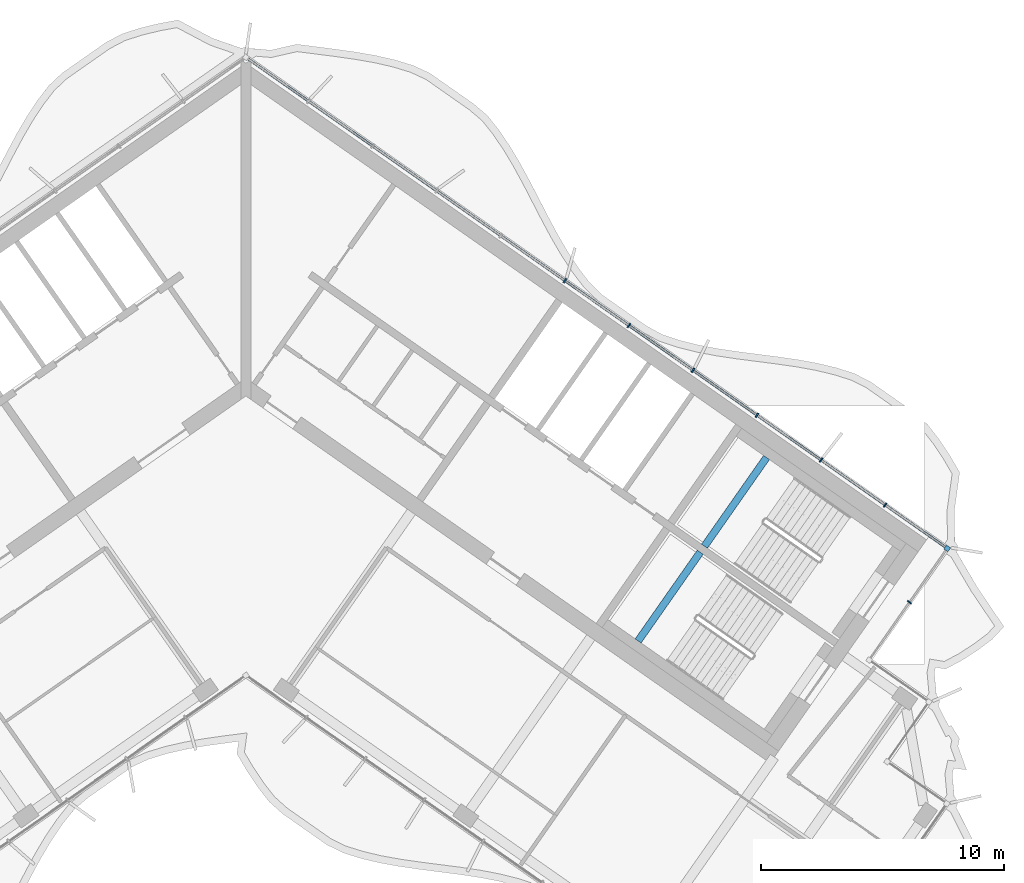
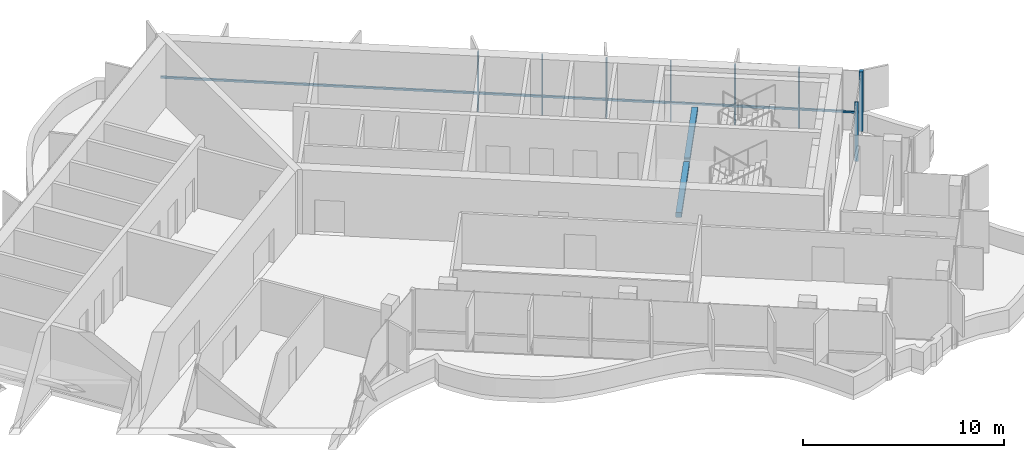
# One storey, part 5 of 18: 9 members, 2 beams, 1 element without a shape of its own.
"""IFC4 building model written with IfcOpenShell, lengths in metres."""

from ifc_helpers import new_model, si_unit, direction, frame, origin, origin_2d, place, context, subcontext, project, spatial, rectangle, extrude, material, material_profile, profile_set, type_object, element, aggregate, save


model = new_model("IFC4")

# Units and contexts
model_context = context("Model", 3, precision=1e-05, world=origin(), true_north=direction((0.0, 1.0)))
body_context = subcontext(model_context, "Body", "Model", "MODEL_VIEW")
ifc_project = project(units=[si_unit("LENGTHUNIT", "METRE"), si_unit("AREAUNIT", "SQUARE_METRE"), si_unit("VOLUMEUNIT", "CUBIC_METRE"), si_unit("PLANEANGLEUNIT", "RADIAN"), si_unit("MASSUNIT", "GRAM", prefix="KILO")], contexts=[model_context])

# Site, building, storey
site_placement = place(None, origin())
site = spatial("IfcSite", under=ifc_project, at=site_placement, CompositionType="ELEMENT")
building_placement = place(site_placement, origin())
building = spatial("IfcBuilding", under=site, at=building_placement, Name="Tel Ilan Convention Tower", CompositionType="ELEMENT")
storey_placement = place(building_placement, frame((0.0, 0.0, 299.5)))
storey = spatial("IfcBuildingStorey", under=building, at=storey_placement, Name="L71", CompositionType="ELEMENT", Elevation=299.5)

# Curtain wall, members
ifc_material_1 = material(Name="Aluminium, bronze anodised", Category="aluminium")
curtain_wall_type = type_object("IfcCurtainWallType", Name="CW2 STICK CURTAIN WALL, SPANDREL PANELS", PredefinedType="NOTDEFINED", material=ifc_material_1)
curtain_wall_placement = place(storey_placement, origin())
curtain_wall = element("IfcCurtainWall", 1, at=curtain_wall_placement, inside=storey, type_object=curtain_wall_type, Name="Curtain wall CW2-54.01", PredefinedType="NOTDEFINED")
ifc_material_2 = material(Name="Aluminium, bronze anodised", Category="aluminium")
ifc_material_profile_1 = material_profile(ifc_material_2, rectangle(XDim=0.199951171875, YDim=0.199951171875, at=origin_2d()), Name="CW CORNER MULLION 200x200")
ifc_profile_set_1 = profile_set([ifc_material_profile_1], Name="Aluminium, bronze anodised")
member_type_1 = type_object("IfcMemberType", Name="CW CORNER MULLION 200x200", PredefinedType="MULLION", material=ifc_profile_set_1)
member_1_placement = place(storey_placement, frame((28.819580078125, -7.483642578125, 0.0), z_axis=(0.0, 0.0, 1.0), x_axis=(0.573576436351, 0.819152044289, 0.0)))
member_1 = element("IfcMember", 2, at=member_1_placement, type_object=member_type_1, Name="Corner mullion", PredefinedType="MULLION", context=body_context, shape_type="SweptSolid", body=[
    extrude(rectangle(XDim=0.199951171875, YDim=0.199951171875, at=origin_2d()), origin(), (0.0, 0.0, 1.0), 3.6201171875),
])
ifc_material_3 = material(Name="Aluminium, bronze anodised", Category="aluminium")
ifc_material_profile_2 = material_profile(ifc_material_3, rectangle(XDim=0.06005859375, YDim=0.199951171875, at=origin_2d()), Name="CW MULLION 60x200")
ifc_profile_set_2 = profile_set([ifc_material_profile_2], Name="Aluminium, bronze anodised")
member_type_2 = type_object("IfcMemberType", Name="CW MULLION 60x200", PredefinedType="MULLION", material=ifc_profile_set_2)
member_2_placement = place(storey_placement, frame((27.27099609375, -9.6953125, 0.0), z_axis=(0.0, 0.0, 1.0), x_axis=(0.573576436351, 0.819152044289, 0.0)))
member_2 = element("IfcMember", 3, at=member_2_placement, type_object=member_type_2, Name="Mullion", PredefinedType="MULLION", context=body_context, shape_type="SweptSolid", body=[
    extrude(rectangle(XDim=0.06005859375, YDim=0.199951171875, at=origin_2d()), origin(), (0.0, 0.0, 1.0), 3.6201171875),
])
member_3_placement = place(storey_placement, frame((26.268798828125, -5.697509765625, 0.0), z_axis=(0.0, 0.0, 1.0), x_axis=(-0.819152044289, 0.573576436351, 0.0)))
member_3 = element("IfcMember", 4, at=member_3_placement, type_object=member_type_2, Name="Mullion", PredefinedType="MULLION", context=body_context, shape_type="SweptSolid", body=[
    extrude(rectangle(XDim=0.06005859375, YDim=0.199951171875, at=origin_2d()), origin(), (0.0, 0.0, 1.0), 3.6201171875),
])
member_4_placement = place(storey_placement, frame((23.63623046875, -3.854248046875, 0.0), z_axis=(0.0, 0.0, 1.0), x_axis=(-0.819152044289, 0.573576436351, 0.0)))
member_4 = element("IfcMember", 5, at=member_4_placement, type_object=member_type_2, Name="Mullion", PredefinedType="MULLION", context=body_context, shape_type="SweptSolid", body=[
    extrude(rectangle(XDim=0.06005859375, YDim=0.199951171875, at=origin_2d()), origin(), (0.0, 0.0, 1.0), 3.6201171875),
])
member_5_placement = place(storey_placement, frame((21.003662109375, -2.0107421875, 0.0), z_axis=(0.0, 0.0, 1.0), x_axis=(-0.819152044289, 0.573576436351, 0.0)))
member_5 = element("IfcMember", 6, at=member_5_placement, type_object=member_type_2, Name="Mullion", PredefinedType="MULLION", context=body_context, shape_type="SweptSolid", body=[
    extrude(rectangle(XDim=0.06005859375, YDim=0.199951171875, at=origin_2d()), origin(), (0.0, 0.0, 1.0), 3.6201171875),
])
member_6_placement = place(storey_placement, frame((18.37109375, -0.16748046875, 0.0), z_axis=(0.0, 0.0, 1.0), x_axis=(-0.819152044289, 0.573576436351, 0.0)))
member_6 = element("IfcMember", 7, at=member_6_placement, type_object=member_type_2, Name="Mullion", PredefinedType="MULLION", context=body_context, shape_type="SweptSolid", body=[
    extrude(rectangle(XDim=0.06005859375, YDim=0.199951171875, at=origin_2d()), origin(), (0.0, 0.0, 1.0), 3.6201171875),
])
member_7_placement = place(storey_placement, frame((15.73828125, 1.676025390625, 0.0), z_axis=(0.0, 0.0, 1.0), x_axis=(-0.819152044289, 0.573576436351, 0.0)))
member_7 = element("IfcMember", 8, at=member_7_placement, type_object=member_type_2, Name="Mullion", PredefinedType="MULLION", context=body_context, shape_type="SweptSolid", body=[
    extrude(rectangle(XDim=0.06005859375, YDim=0.199951171875, at=origin_2d()), origin(), (0.0, 0.0, 1.0), 3.6201171875),
])
member_8_placement = place(storey_placement, frame((13.105712890625, 3.519287109375, 0.0), z_axis=(0.0, 0.0, 1.0), x_axis=(-0.819152044289, 0.573576436351, 0.0)))
member_8 = element("IfcMember", 9, at=member_8_placement, type_object=member_type_2, Name="Mullion", PredefinedType="MULLION", context=body_context, shape_type="SweptSolid", body=[
    extrude(rectangle(XDim=0.06005859375, YDim=0.199951171875, at=origin_2d()), origin(), (0.0, 0.0, 1.0), 3.6201171875),
])
ifc_material_4 = material(Name="Aluminium, bronze anodised", Category="aluminium")
ifc_material_profile_3 = material_profile(ifc_material_4, rectangle(XDim=0.10009765625, YDim=0.1201171875, at=origin_2d()), Name="CW TRANSOM 100x120")
ifc_profile_set_3 = profile_set([ifc_material_profile_3], Name="Aluminium, bronze anodised")
member_type_3 = type_object("IfcMemberType", Name="CW TRANSOM 100x120", PredefinedType="USERDEFINED", material=ifc_profile_set_3)
member_9_placement = place(storey_placement, frame((28.737548828125, -7.42626953125, 1.10009765625), z_axis=(-0.819150201937, 0.573579067494, 0.0), x_axis=(-0.573579067494, -0.819150201937, 0.0)))
member_9 = element("IfcMember", 10, at=member_9_placement, type_object=member_type_3, Name="Transom", ObjectType="TRANSOM", PredefinedType="USERDEFINED", context=body_context, shape_type="SweptSolid", body=[
    extrude(rectangle(XDim=0.10009765625, YDim=0.1201171875, at=origin_2d()), origin(), (0.0, 0.0, 1.0), 34.9521484375),
])
aggregate(curtain_wall, [member_2, member_1, member_3, member_4, member_5, member_6, member_7, member_8, member_9])

# Beams
ifc_material_5 = material(Name="Concrete C40/50", Category="concrete")
ifc_material_profile_4 = material_profile(ifc_material_5, rectangle(XDim=0.300048828125, YDim=0.300048828125, at=origin_2d()), Name="RC 300x300")
ifc_profile_set_4 = profile_set([ifc_material_profile_4], Name="Concrete C40/50")
beam_type = type_object("IfcBeamType", Name="Landing Beam RC 300x300 Concrete C40/50", PredefinedType="BEAM", material=ifc_profile_set_4)
beam_1_placement = place(storey_placement, frame((21.39404296875, -3.7490234375, 1.60009765625), z_axis=(-0.573547030514, -0.819172633691, 0.0), x_axis=(0.819172633691, -0.573547030514, 0.0)))
element("IfcBeam", 11, at=beam_1_placement, inside=storey, type_object=beam_type, Name="S3 landing beam L71.1", PredefinedType="BEAM", context=body_context, shape_type="SweptSolid", body=[
    extrude(rectangle(XDim=0.300048828125, YDim=0.300048828125, at=origin_2d()), origin(), (0.0, 0.0, 1.0), 4.449951171875),
])
beam_2_placement = place(storey_placement, frame((18.669677734375, -7.64013671875, 1.60009765625), z_axis=(-0.573583844845, -0.819146856756, 0.0), x_axis=(0.819146856756, -0.573583844845, 0.0)))
element("IfcBeam", 12, at=beam_2_placement, inside=storey, type_object=beam_type, Name="S4 landing beam L71.1", PredefinedType="BEAM", context=body_context, shape_type="SweptSolid", body=[
    extrude(rectangle(XDim=0.300048828125, YDim=0.300048828125, at=origin_2d()), origin(), (0.0, 0.0, 1.0), 4.4501953125),
])

save(model, "model.ifc")
